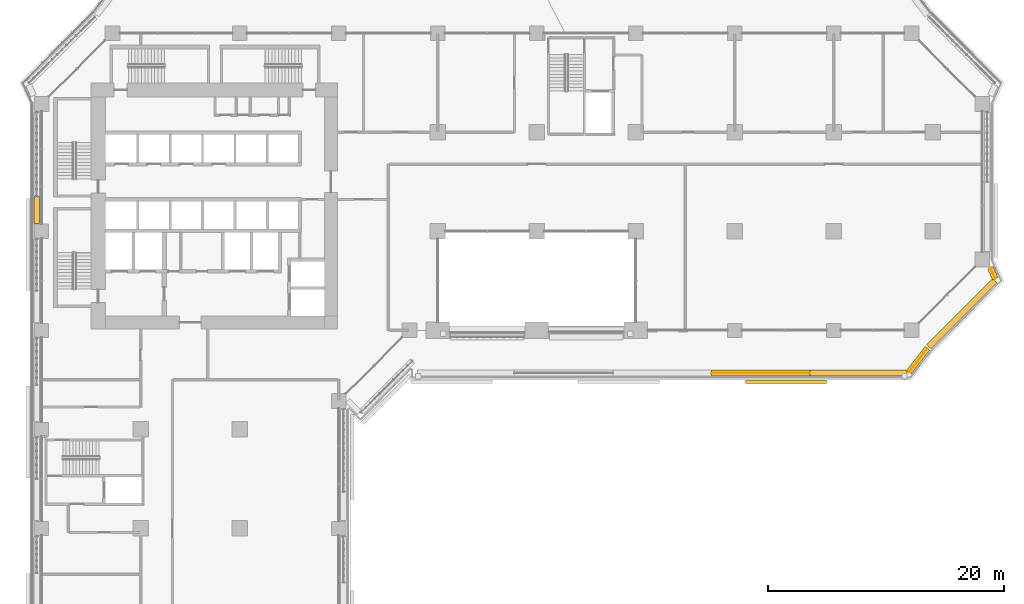
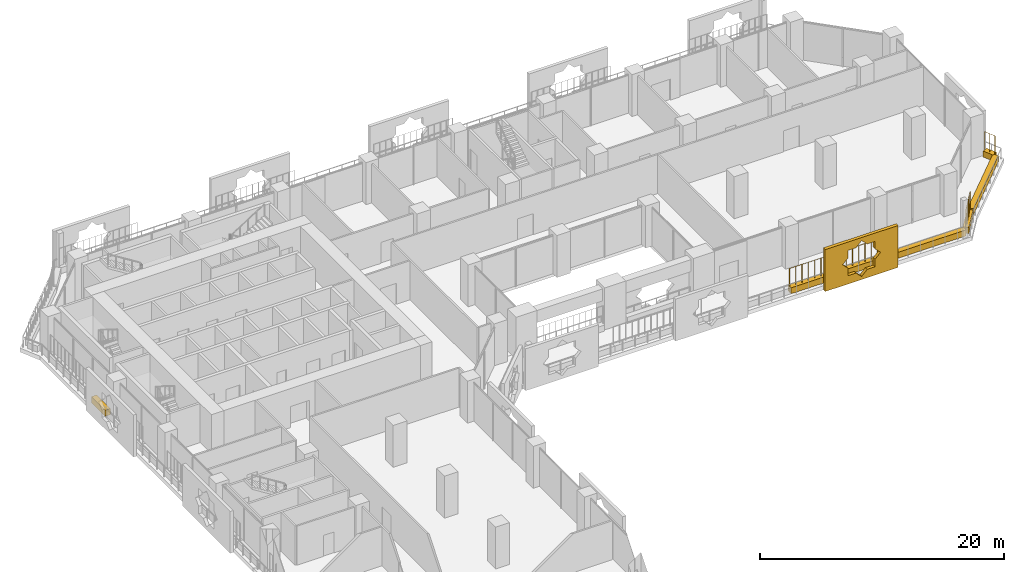
# One storey, part 24 of 27: 7 coverings, 3 railings.
"""IFC4 building model written with IfcOpenShell, lengths in metres."""

from ifc_helpers import new_model, si_unit, direction, frame, origin, origin_2d, place, context, subcontext, project, spatial, polyline, rectangle, circle, outline, extrude, material, material_profile, profile_set, type_object, element, save


model = new_model("IFC4")

# Units and contexts
model_context = context("Model", 3, precision=1e-05, world=origin(), true_north=direction((0.0, 1.0)))
body_context = subcontext(model_context, "Body", "Model", "MODEL_VIEW")
ifc_project = project(units=[si_unit("LENGTHUNIT", "METRE"), si_unit("AREAUNIT", "SQUARE_METRE"), si_unit("VOLUMEUNIT", "CUBIC_METRE"), si_unit("PLANEANGLEUNIT", "RADIAN"), si_unit("MASSUNIT", "GRAM", prefix="KILO")], contexts=[model_context])

# Site, building, storey
site_placement = place(None, origin())
site = spatial("IfcSite", under=ifc_project, at=site_placement, CompositionType="ELEMENT")
building_placement = place(site_placement, origin())
building = spatial("IfcBuilding", under=site, at=building_placement, Name="Kawkab Arch Medical Tower", CompositionType="ELEMENT")
storey_placement = place(building_placement, frame((0.0, 0.0, 43.39990234375)))
storey = spatial("IfcBuildingStorey", under=building, at=storey_placement, Name="L09", CompositionType="ELEMENT", Elevation=43.39990234375)

# Coverings
ifc_material_1 = material(Name="Bronze anodised aluminium mashrabiya panel, eight-point star pattern", Category="aluminium")
ifc_material_profile_1 = material_profile(ifc_material_1, outline(polyline([(-3.449951171875, -2.10009765625), (3.449951171875, -2.10009765625), (3.449951171875, 2.10009765625), (-3.449951171875, 2.10009765625), (-3.449951171875, -2.10009765625)]), holes=[polyline([(1.800048828125, 0.0), (1.272705078125, 0.527099609375), (1.272705078125, 1.272705078125), (0.527099609375, 1.272705078125), (0.0, 1.800048828125), (-0.527099609375, 1.272705078125), (-1.272705078125, 1.272705078125), (-1.272705078125, 0.527099609375), (-1.800048828125, 0.0), (-1.272705078125, -0.527099609375), (-1.272705078125, -1.272705078125), (-0.527099609375, -1.272705078125), (0.0, -1.800048828125), (0.527099609375, -1.272705078125), (1.272705078125, -1.272705078125), (1.272705078125, -0.527099609375), (1.800048828125, 0.0)])]), Name="Mashrabiya panel 6900x4200")
ifc_profile_set_1 = profile_set([ifc_material_profile_1], Name="Bronze anodised aluminium mashrabiya panel, eight-point star pattern")
covering_type_1 = type_object("IfcCoveringType", Name="Mashrabiya panel 6900 x 4200", PredefinedType="USERDEFINED", material=ifc_profile_set_1)
covering_1_placement = place(storey_placement, frame((63.148681640625, -29.39990234375, 1.7001953125), z_axis=(0.0, -1.0, 0.0), x_axis=(1.0, 0.0, 0.0)))
element("IfcCovering", 1, at=covering_1_placement, inside=storey, type_object=covering_type_1, Name="Mashrabiya panel L09.LOG-01-02.12", ObjectType="SCREEN", PredefinedType="USERDEFINED", context=body_context, shape_type="SweptSolid", body=[
    extrude(outline(polyline([(-3.449951171875, -2.10009765625), (3.449951171875, -2.10009765625), (3.449951171875, 2.10009765625), (-3.449951171875, 2.10009765625), (-3.449951171875, -2.10009765625)]), holes=[polyline([(1.800048828125, 0.0), (1.272705078125, 0.527099609375), (1.272705078125, 1.272705078125), (0.527099609375, 1.272705078125), (0.0, 1.800048828125), (-0.527099609375, 1.272705078125), (-1.272705078125, 1.272705078125), (-1.272705078125, 0.527099609375), (-1.800048828125, 0.0), (-1.272705078125, -0.527099609375), (-1.272705078125, -1.272705078125), (-0.527099609375, -1.272705078125), (0.0, -1.800048828125), (0.527099609375, -1.272705078125), (1.272705078125, -1.272705078125), (1.272705078125, -0.527099609375), (1.800048828125, 0.0)])]), origin(), (0.0, 0.0, 1.0), 0.300048828125),
])
ifc_material_2 = material(Name="Planting soil in a precast trough", Category="concrete")
ifc_material_profile_2 = material_profile(ifc_material_2, rectangle(XDim=0.5, YDim=0.60009765625, at=origin_2d()), Name="Trough 500x600")
ifc_profile_set_2 = profile_set([ifc_material_profile_2], Name="Planting soil in a precast trough")
covering_type_2 = type_object("IfcCoveringType", Name="Planter trough 500 x 600", PredefinedType="USERDEFINED", material=ifc_profile_set_2)
covering_2_placement = place(storey_placement, frame((-0.419921875, -16.1201171875, 0.300048828125), z_axis=(0.0, 1.0, 0.0), x_axis=(-1.0, 0.0, 0.0)))
element("IfcCovering", 2, at=covering_2_placement, inside=storey, type_object=covering_type_2, Name="Planter L09.LOG-01-02.20", ObjectType="PLANTER", PredefinedType="USERDEFINED", context=body_context, shape_type="SweptSolid", body=[
    extrude(rectangle(XDim=0.5, YDim=0.60009765625, at=origin_2d()), origin(), (0.0, 0.0, 1.0), 2.26416015625),
])
covering_3_placement = place(storey_placement, frame((80.48095703125, -19.89794921875, 0.300048828125), z_axis=(0.415071571878, -0.909788761317, 0.0), x_axis=(0.909788761317, 0.415071571878, 0.0)))
element("IfcCovering", 3, at=covering_3_placement, inside=storey, type_object=covering_type_2, Name="Planter L09.LOG-01-02.39", ObjectType="PLANTER", PredefinedType="USERDEFINED", context=body_context, shape_type="SweptSolid", body=[
    extrude(rectangle(XDim=0.5, YDim=0.60009765625, at=origin_2d()), origin(), (0.0, 0.0, 1.0), 1.0146484375),
])
covering_4_placement = place(storey_placement, frame((80.873046875, -20.98291015625, 0.300048828125), z_axis=(-0.707106781187, -0.707106781187, 0.0), x_axis=(0.707106781187, -0.707106781187, 0.0)))
element("IfcCovering", 4, at=covering_4_placement, inside=storey, type_object=covering_type_2, Name="Planter L09.LOG-01-02.40", ObjectType="PLANTER", PredefinedType="USERDEFINED", context=body_context, shape_type="SweptSolid", body=[
    extrude(rectangle(XDim=0.5, YDim=0.60009765625, at=origin_2d()), origin(), (0.0, 0.0, 1.0), 7.919677734375),
])
covering_5_placement = place(storey_placement, frame((75.14111328125, -26.73193359375, 0.300048828125), z_axis=(-0.614099956103, -0.789228258436, 0.0), x_axis=(0.789228258436, -0.614099956103, 0.0)))
element("IfcCovering", 5, at=covering_5_placement, inside=storey, type_object=covering_type_2, Name="Planter L09.LOG-01-02.41", ObjectType="PLANTER", PredefinedType="USERDEFINED", context=body_context, shape_type="SweptSolid", body=[
    extrude(rectangle(XDim=0.5, YDim=0.60009765625, at=origin_2d()), origin(), (0.0, 0.0, 1.0), 2.545654296875),
])
covering_6_placement = place(storey_placement, frame((73.416015625, -28.820068359375, 0.300048828125), z_axis=(-1.0, 0.0, 0.0), x_axis=(0.0, -1.0, 0.0)))
element("IfcCovering", 6, at=covering_6_placement, inside=storey, type_object=covering_type_2, Name="Planter L09.LOG-01-02.42", ObjectType="PLANTER", PredefinedType="USERDEFINED", context=body_context, shape_type="SweptSolid", body=[
    extrude(rectangle(XDim=0.5, YDim=0.60009765625, at=origin_2d()), origin(), (0.0, 0.0, 1.0), 8.2470703125),
])
covering_7_placement = place(storey_placement, frame((65.1689453125, -28.820068359375, 0.300048828125), z_axis=(-1.0, 0.0, 0.0), x_axis=(0.0, -1.0, 0.0)))
element("IfcCovering", 7, at=covering_7_placement, inside=storey, type_object=covering_type_2, Name="Planter L09.LOG-01-02.43", ObjectType="PLANTER", PredefinedType="USERDEFINED", context=body_context, shape_type="SweptSolid", body=[
    extrude(rectangle(XDim=0.5, YDim=0.60009765625, at=origin_2d()), origin(), (0.0, 0.0, 1.0), 8.346923828125),
])

# Railings
ifc_material_3 = material(Name="Bronze anodised aluminium trellis for climbing plants", Category="aluminium")
railing_type = type_object("IfcRailingType", Name="Planting trellis 2400", PredefinedType="USERDEFINED", material=ifc_material_3)
railing_1_placement = place(storey_placement, frame((80.48095703125, -19.89794921875, 0.0)))
element("IfcRailing", 8, at=railing_1_placement, inside=storey, type_object=railing_type, Name="Planting trellis L09.LOG-01-02.39", ObjectType="TRELLIS", PredefinedType="USERDEFINED", context=body_context, shape_type="SweptSolid", body=[
    extrude(circle(Radius=0.01513671875, at=origin_2d()), frame((0.0, 0.0, 2.384765625), z_axis=(0.415071571878, -0.909788761317, 0.0), x_axis=(0.909788761317, 0.415071571878, 0.0)), (0.0, 0.0, 1.0), 1.0146484375),
    extrude(circle(Radius=0.030029296875, at=origin_2d()), origin(), (0.0, 0.0, 1.0), 2.369873046875),
    extrude(circle(Radius=0.030029296875, at=origin_2d()), frame((0.21044921875, -0.46142578125, 0.0)), (0.0, 0.0, 1.0), 2.369873046875),
    extrude(circle(Radius=0.030029296875, at=origin_2d()), frame((0.421142578125, -0.923095703125, 0.0)), (0.0, 0.0, 1.0), 2.369873046875),
])
railing_2_placement = place(storey_placement, frame((75.14111328125, -26.73193359375, 0.0)))
element("IfcRailing", 9, at=railing_2_placement, inside=storey, type_object=railing_type, Name="Planting trellis L09.LOG-01-02.41", ObjectType="TRELLIS", PredefinedType="USERDEFINED", context=body_context, shape_type="SweptSolid", body=[
    extrude(circle(Radius=0.01513671875, at=origin_2d()), frame((0.0, 0.0, 2.384765625), z_axis=(-0.614099956103, -0.789228258436, 0.0), x_axis=(0.789228258436, -0.614099956103, 0.0)), (0.0, 0.0, 1.0), 2.545654296875),
    extrude(circle(Radius=0.030029296875, at=origin_2d()), origin(), (0.0, 0.0, 1.0), 2.369873046875),
    extrude(circle(Radius=0.030029296875, at=origin_2d()), frame((-0.312744140625, -0.40185546875, 0.0)), (0.0, 0.0, 1.0), 2.369873046875),
    extrude(circle(Radius=0.030029296875, at=origin_2d()), frame((-0.625244140625, -0.8037109375, 0.0)), (0.0, 0.0, 1.0), 2.369873046875),
    extrude(circle(Radius=0.030029296875, at=origin_2d()), frame((-0.93798828125, -1.205322265625, 0.0)), (0.0, 0.0, 1.0), 2.369873046875),
    extrude(circle(Radius=0.030029296875, at=origin_2d()), frame((-1.25048828125, -1.607177734375, 0.0)), (0.0, 0.0, 1.0), 2.369873046875),
    extrude(circle(Radius=0.030029296875, at=origin_2d()), frame((-1.563232421875, -2.009033203125, 0.0)), (0.0, 0.0, 1.0), 2.369873046875),
])
railing_3_placement = place(storey_placement, frame((65.1689453125, -28.820068359375, 0.0)))
element("IfcRailing", 10, at=railing_3_placement, inside=storey, type_object=railing_type, Name="Planting trellis L09.LOG-01-02.43", ObjectType="TRELLIS", PredefinedType="USERDEFINED", context=body_context, shape_type="SweptSolid", body=[
    extrude(circle(Radius=0.01513671875, at=origin_2d()), frame((0.0, 0.0, 2.384765625), z_axis=(-1.0, 0.0, 0.0), x_axis=(0.0, -1.0, 0.0)), (0.0, 0.0, 1.0), 8.346923828125),
    extrude(circle(Radius=0.030029296875, at=origin_2d()), origin(), (0.0, 0.0, 1.0), 2.369873046875),
    extrude(circle(Radius=0.030029296875, at=origin_2d()), frame((-0.59619140625, 0.0, 0.0)), (0.0, 0.0, 1.0), 2.369873046875),
    extrude(circle(Radius=0.030029296875, at=origin_2d()), frame((-1.1923828125, 0.0, 0.0)), (0.0, 0.0, 1.0), 2.369873046875),
    extrude(circle(Radius=0.030029296875, at=origin_2d()), frame((-1.78857421875, 0.0, 0.0)), (0.0, 0.0, 1.0), 2.369873046875),
    extrude(circle(Radius=0.030029296875, at=origin_2d()), frame((-2.384765625, 0.0, 0.0)), (0.0, 0.0, 1.0), 2.369873046875),
    extrude(circle(Radius=0.030029296875, at=origin_2d()), frame((-2.98095703125, 0.0, 0.0)), (0.0, 0.0, 1.0), 2.369873046875),
    extrude(circle(Radius=0.030029296875, at=origin_2d()), frame((-3.5771484375, 0.0, 0.0)), (0.0, 0.0, 1.0), 2.369873046875),
    extrude(circle(Radius=0.030029296875, at=origin_2d()), frame((-4.17333984375, 0.0, 0.0)), (0.0, 0.0, 1.0), 2.369873046875),
    extrude(circle(Radius=0.030029296875, at=origin_2d()), frame((-4.769775390625, 0.0, 0.0)), (0.0, 0.0, 1.0), 2.369873046875),
    extrude(circle(Radius=0.030029296875, at=origin_2d()), frame((-5.365966796875, 0.0, 0.0)), (0.0, 0.0, 1.0), 2.369873046875),
    extrude(circle(Radius=0.030029296875, at=origin_2d()), frame((-5.962158203125, 0.0, 0.0)), (0.0, 0.0, 1.0), 2.369873046875),
    extrude(circle(Radius=0.030029296875, at=origin_2d()), frame((-6.558349609375, 0.0, 0.0)), (0.0, 0.0, 1.0), 2.369873046875),
    extrude(circle(Radius=0.030029296875, at=origin_2d()), frame((-7.154541015625, 0.0, 0.0)), (0.0, 0.0, 1.0), 2.369873046875),
    extrude(circle(Radius=0.030029296875, at=origin_2d()), frame((-7.750732421875, 0.0, 0.0)), (0.0, 0.0, 1.0), 2.369873046875),
    extrude(circle(Radius=0.030029296875, at=origin_2d()), frame((-8.346923828125, 0.0, 0.0)), (0.0, 0.0, 1.0), 2.369873046875),
])

save(model, "model.ifc")
